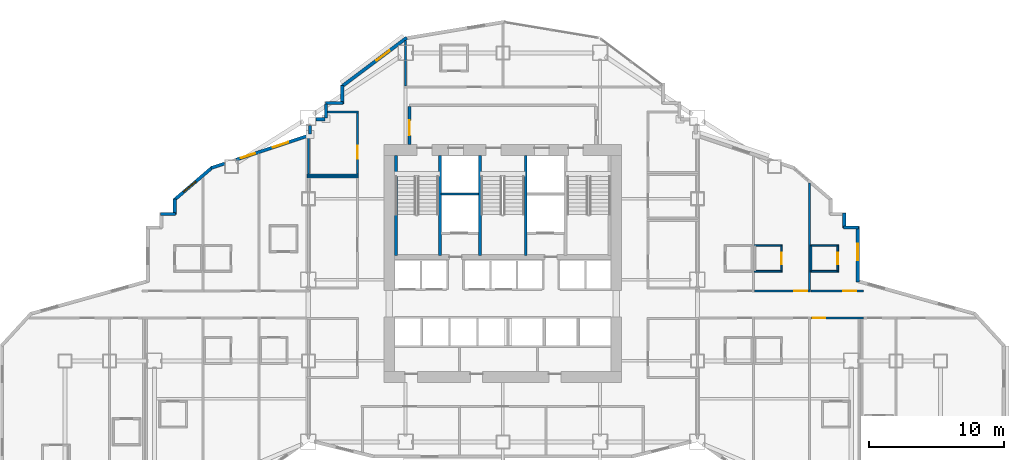
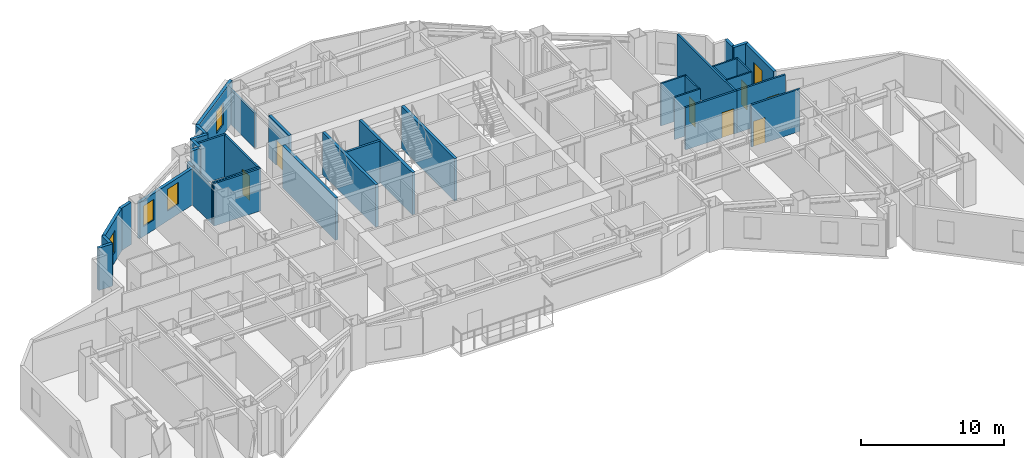
# One storey, part 11 of 16: 37 walls, 7 doors, 5 windows, 12 openings.
"""IFC4 building model written with IfcOpenShell, lengths in metres."""

from ifc_helpers import new_model, si_unit, direction, frame, frame_2d, origin, place, context, subcontext, project, spatial, rectangle, extrude, material, layer, layer_set, type_object, element, fill, save


model = new_model("IFC4")

# Units and contexts
model_context = context("Model", 3, precision=1e-05, world=origin(), true_north=direction((0.0, 1.0)))
body_context = subcontext(model_context, "Body", "Model", "MODEL_VIEW")
ifc_project = project(units=[si_unit("LENGTHUNIT", "METRE"), si_unit("AREAUNIT", "SQUARE_METRE"), si_unit("VOLUMEUNIT", "CUBIC_METRE"), si_unit("PLANEANGLEUNIT", "RADIAN"), si_unit("MASSUNIT", "GRAM", prefix="KILO")], contexts=[model_context])

# Site, building, storey
site_placement = place(None, origin())
site = spatial("IfcSite", under=ifc_project, at=site_placement, CompositionType="ELEMENT")
building_placement = place(site_placement, origin())
building = spatial("IfcBuilding", under=site, at=building_placement, Name="Haolan Belvedere Tower", CompositionType="ELEMENT")
storey_placement = place(building_placement, frame((0.0, 0.0, 78.0)))
storey = spatial("IfcBuildingStorey", under=building, at=storey_placement, Name="L19", CompositionType="ELEMENT", Elevation=78.0)

# Wall, opening, window
ifc_material_1 = material(Name="Precast concrete C40/50", Category="concrete")
ifc_layer_1 = layer(ifc_material_1, 0.239990234375, Name="Precast concrete C40/50")
ifc_layer_set_1 = layer_set([ifc_layer_1], Name="Precast concrete C40/50")
wall_type_1 = type_object("IfcWallType", Name="WL-EXT-240", PredefinedType="SOLIDWALL", material=ifc_layer_set_1)
wall_1_placement = place(storey_placement, frame((64.679931640625, 33.453857421875, 0.0), z_axis=(0.0, 0.0, 1.0), x_axis=(0.0, 1.0, 0.0)))
wall_1 = element("IfcWall", 1, at=wall_1_placement, inside=storey, type_object=wall_type_1, Name="L19 pale-metal exterior spandrel wall 29.1", PredefinedType="SOLIDWALL", context=body_context, shape_type="SweptSolid", body=[
    extrude(rectangle(XDim=4.0810546875, YDim=0.239990234375, at=frame_2d((2.04052734375, 0.0))), origin(), (0.0, 0.0, 1.0), 3.60009765625),
])
opening_1_placement = place(wall_1_placement, frame((1.60009765625, 0.0, 0.85009765625)))
opening_1 = element("IfcOpeningElement", 2, at=opening_1_placement, cuts=wall_1, Name="Opening W-01", PredefinedType="OPENING", context=body_context, shape_type="SweptSolid", body=[
    extrude(rectangle(XDim=1.199951171875, YDim=1.85009765625, at=frame_2d((0.60009765625, 0.925048828125))), frame((0.0, 0.1298828125, 0.0), z_axis=(0.0, -1.0, 0.0), x_axis=(1.0, 0.0, 0.0)), (0.0, 0.0, 1.0), 0.260009765625),
])
ifc_material_2 = material(Name="Anodised aluminium 6063-T6 and Low-E glass", Category="aluminium")
window_type_1 = type_object("IfcWindowType", Name="WN-DECO-Z1", PartitioningType="SINGLE_PANEL", PredefinedType="WINDOW", material=ifc_material_2)
window_1_placement = place(opening_1_placement, origin())
window_1 = element("IfcWindow", 3, at=window_1_placement, inside=storey, type_object=window_type_1, Name="L19 Art Deco chevron window 1", OverallHeight=1.85009765625, OverallWidth=1.199951171875, PartitioningType="SINGLE_PANEL", PredefinedType="WINDOW", context=body_context, shape_type="SweptSolid", body=[
    extrude(rectangle(XDim=1.199951171875, YDim=1.85009765625, at=frame_2d((0.60009765625, 0.925048828125))), frame((0.0, 0.030029296875, 0.0), z_axis=(0.0, -1.0, 0.0), x_axis=(1.0, 0.0, 0.0)), (0.0, 0.0, 1.0), 0.06005859375),
])
fill(opening_1, window_1)

# Walls
wall_2_placement = place(storey_placement, frame((64.735107421875, 37.47998046875, 0.0), z_axis=(0.0, 0.0, 1.0), x_axis=(-1.0, 0.0, 0.0)))
element("IfcWall", 4, at=wall_2_placement, inside=storey, type_object=wall_type_1, Name="L19 pale-metal exterior spandrel wall 30.1", PredefinedType="SOLIDWALL", context=body_context, shape_type="SweptSolid", body=[
    extrude(rectangle(XDim=1.110107421875, YDim=0.239990234375, at=frame_2d((0.55517578125, 0.0))), origin(), (0.0, 0.0, 1.0), 3.60009765625),
])
wall_3_placement = place(storey_placement, frame((63.679931640625, 37.425048828125, 0.0), z_axis=(0.0, 0.0, 1.0), x_axis=(0.0, 1.0, 0.0)))
element("IfcWall", 5, at=wall_3_placement, inside=storey, type_object=wall_type_1, Name="L19 pale-metal exterior spandrel wall 31.1", PredefinedType="SOLIDWALL", context=body_context, shape_type="SweptSolid", body=[
    extrude(rectangle(XDim=1.10986328125, YDim=0.239990234375, at=frame_2d((0.554931640625, 0.0))), origin(), (0.0, 0.0, 1.0), 3.60009765625),
])

# Wall, opening, window
wall_4_placement = place(storey_placement, frame((31.29248046875, 51.519287109375, 0.0), z_axis=(0.0, 0.0, 1.0), x_axis=(-0.8, -0.6, 0.0)))
wall_4 = element("IfcWall", 6, at=wall_4_placement, inside=storey, type_object=wall_type_1, Name="L19 pale-metal exterior spandrel wall 44.1", PredefinedType="SOLIDWALL", context=body_context, shape_type="SweptSolid", body=[
    extrude(rectangle(XDim=6.0205078125, YDim=0.239990234375, at=frame_2d((3.01025390625, 0.0))), origin(), (0.0, 0.0, 1.0), 3.60009765625),
])
opening_2_placement = place(wall_4_placement, frame((1.60009765625, 0.0, 0.85009765625)))
opening_2 = element("IfcOpeningElement", 7, at=opening_2_placement, cuts=wall_4, Name="Opening W-01", PredefinedType="OPENING", context=body_context, shape_type="SweptSolid", body=[
    extrude(rectangle(XDim=1.199951171875, YDim=1.85009765625, at=frame_2d((0.60009765625, 0.925048828125))), frame((0.0, 0.1298828125, 0.0), z_axis=(0.0, -1.0, 0.0), x_axis=(1.0, 0.0, 0.0)), (0.0, 0.0, 1.0), 0.260009765625),
])
window_2_placement = place(opening_2_placement, origin())
window_2 = element("IfcWindow", 8, at=window_2_placement, inside=storey, type_object=window_type_1, Name="L19 Art Deco chevron window 1", OverallHeight=1.85009765625, OverallWidth=1.199951171875, PartitioningType="SINGLE_PANEL", PredefinedType="WINDOW", context=body_context, shape_type="SweptSolid", body=[
    extrude(rectangle(XDim=1.199951171875, YDim=1.85009765625, at=frame_2d((0.60009765625, 0.925048828125))), frame((0.0, 0.030029296875, 0.0), z_axis=(0.0, -1.0, 0.0), x_axis=(1.0, 0.0, 0.0)), (0.0, 0.0, 1.0), 0.06005859375),
])
fill(opening_2, window_2)

# Walls
wall_5_placement = place(storey_placement, frame((26.52001953125, 47.9951171875, 0.0), z_axis=(0.0, 0.0, 1.0), x_axis=(0.0, -1.0, 0.0)))
element("IfcWall", 9, at=wall_5_placement, inside=storey, type_object=wall_type_1, Name="L19 pale-metal exterior spandrel wall 45.1", PredefinedType="SOLIDWALL", context=body_context, shape_type="SweptSolid", body=[
    extrude(rectangle(XDim=1.3701171875, YDim=0.239990234375, at=frame_2d((0.68505859375, 0.0))), origin(), (0.0, 0.0, 1.0), 3.60009765625),
])
wall_6_placement = place(storey_placement, frame((26.574951171875, 46.679931640625, 0.0), z_axis=(0.0, 0.0, 1.0), x_axis=(-1.0, 0.0, 0.0)))
element("IfcWall", 10, at=wall_6_placement, inside=storey, type_object=wall_type_1, Name="L19 pale-metal exterior spandrel wall 46.1", PredefinedType="SOLIDWALL", context=body_context, shape_type="SweptSolid", body=[
    extrude(rectangle(XDim=1.31005859375, YDim=0.239990234375, at=frame_2d((0.655029296875, 0.0))), origin(), (0.0, 0.0, 1.0), 3.60009765625),
])
wall_7_placement = place(storey_placement, frame((25.320068359375, 46.614990234375, 0.0), z_axis=(0.0, 0.0, 1.0), x_axis=(0.0, -1.0, 0.0)))
element("IfcWall", 11, at=wall_7_placement, inside=storey, type_object=wall_type_1, Name="L19 pale-metal exterior spandrel wall 47.1", PredefinedType="SOLIDWALL", context=body_context, shape_type="SweptSolid", body=[
    extrude(rectangle(XDim=1.050048828125, YDim=0.239990234375, at=frame_2d((0.52490234375, 0.0))), origin(), (0.0, 0.0, 1.0), 3.60009765625),
])
wall_8_placement = place(storey_placement, frame((25.235107421875, 45.47998046875, 0.0), z_axis=(0.0, 0.0, 1.0), x_axis=(-1.0, 0.0, 0.0)))
element("IfcWall", 12, at=wall_8_placement, inside=storey, type_object=wall_type_1, Name="L19 pale-metal exterior spandrel wall 48.1", PredefinedType="SOLIDWALL", context=body_context, shape_type="SweptSolid", body=[
    extrude(rectangle(XDim=0.668212890625, YDim=0.239990234375, at=frame_2d((0.333984375, 0.0))), origin(), (0.0, 0.0, 1.0), 3.60009765625),
])
wall_9_placement = place(storey_placement, frame((24.1201171875, 45.032958984375, 0.0), z_axis=(0.0, 0.0, 1.0), x_axis=(0.0, -1.0, 0.0)))
element("IfcWall", 13, at=wall_9_placement, inside=storey, type_object=wall_type_1, Name="L19 pale-metal exterior spandrel wall 49.1", PredefinedType="SOLIDWALL", context=body_context, shape_type="SweptSolid", body=[
    extrude(rectangle(XDim=0.634521484375, YDim=0.239990234375, at=frame_2d((0.3173828125, 0.0))), origin(), (0.0, 0.0, 1.0), 3.096923828125),
])

# Wall, openings, windows
wall_10_placement = place(storey_placement, frame((24.039306640625, 44.28662109375, 0.0), z_axis=(0.0, 0.0, 1.0), x_axis=(-0.948678995954, -0.316240672014, 0.0)))
wall_10 = element("IfcWall", 14, at=wall_10_placement, inside=storey, type_object=wall_type_1, Name="L19 pale-metal exterior spandrel wall 50.1", PredefinedType="SOLIDWALL", context=body_context, shape_type="SweptSolid", body=[
    extrude(rectangle(XDim=5.675048828125, YDim=0.239990234375, at=frame_2d((2.83740234375, 0.0))), origin(), (0.0, 0.0, 1.0), 3.096923828125),
])
opening_3_placement = place(wall_10_placement, frame((1.60009765625, 0.0, 0.85009765625)))
opening_3 = element("IfcOpeningElement", 15, at=opening_3_placement, cuts=wall_10, Name="Opening W-01", PredefinedType="OPENING", context=body_context, shape_type="SweptSolid", body=[
    extrude(rectangle(XDim=1.199951171875, YDim=1.85009765625, at=frame_2d((0.60009765625, 0.925048828125))), frame((0.0, 0.1298828125, 0.0), z_axis=(0.0, -1.0, 0.0), x_axis=(1.0, 0.0, 0.0)), (0.0, 0.0, 1.0), 0.260009765625),
])
opening_4_placement = place(wall_10_placement, frame((4.20556640625, 0.0, 0.85009765625)))
opening_4 = element("IfcOpeningElement", 16, at=opening_4_placement, cuts=wall_10, Name="Opening W-03", PredefinedType="OPENING", context=body_context, shape_type="SweptSolid", body=[
    extrude(rectangle(XDim=1.10009765625, YDim=1.75, at=frame_2d((0.550048828125, 0.875))), frame((0.0, 0.1298828125, 0.0), z_axis=(0.0, -1.0, 0.0), x_axis=(1.0, 0.0, 0.0)), (0.0, 0.0, 1.0), 0.260009765625),
])
window_3_placement = place(opening_3_placement, origin())
window_3 = element("IfcWindow", 17, at=window_3_placement, inside=storey, type_object=window_type_1, Name="L19 Art Deco chevron window 1", OverallHeight=1.85009765625, OverallWidth=1.199951171875, PartitioningType="SINGLE_PANEL", PredefinedType="WINDOW", context=body_context, shape_type="SweptSolid", body=[
    extrude(rectangle(XDim=1.199951171875, YDim=1.85009765625, at=frame_2d((0.60009765625, 0.925048828125))), frame((0.0, 0.030029296875, 0.0), z_axis=(0.0, -1.0, 0.0), x_axis=(1.0, 0.0, 0.0)), (0.0, 0.0, 1.0), 0.06005859375),
])
fill(opening_3, window_3)
window_type_2 = type_object("IfcWindowType", Name="WN-DECO-Z3", PartitioningType="SINGLE_PANEL", PredefinedType="WINDOW", material=ifc_material_2)
window_4_placement = place(opening_4_placement, origin())
window_4 = element("IfcWindow", 18, at=window_4_placement, inside=storey, type_object=window_type_2, Name="L19 Art Deco guestroom window 1", OverallHeight=1.75, OverallWidth=1.10009765625, PartitioningType="SINGLE_PANEL", PredefinedType="WINDOW", context=body_context, shape_type="SweptSolid", body=[
    extrude(rectangle(XDim=1.10009765625, YDim=1.75, at=frame_2d((0.550048828125, 0.875))), frame((0.0, 0.030029296875, 0.0), z_axis=(0.0, -1.0, 0.0), x_axis=(1.0, 0.0, 0.0)), (0.0, 0.0, 1.0), 0.06005859375),
])
fill(opening_4, window_4)

# Wall
wall_11_placement = place(storey_placement, frame((17.80810546875, 42.20947265625, 0.0), z_axis=(0.0, 0.0, 1.0), x_axis=(-0.948706457285, -0.316158279832, 0.0)))
element("IfcWall", 19, at=wall_11_placement, inside=storey, type_object=wall_type_1, Name="L19 pale-metal exterior spandrel wall 50.2", PredefinedType="SOLIDWALL", context=body_context, shape_type="SweptSolid", body=[
    extrude(rectangle(XDim=1.053955078125, YDim=0.239990234375, at=frame_2d((0.52685546875, 0.0))), origin(), (0.0, 0.0, 1.0), 3.60009765625),
])

# Wall, opening, window
wall_12_placement = place(storey_placement, frame((16.902099609375, 41.929443359375, 0.0), z_axis=(0.0, 0.0, 1.0), x_axis=(-0.759275136126, -0.650769750112, 0.0)))
wall_12 = element("IfcWall", 20, at=wall_12_placement, inside=storey, type_object=wall_type_1, Name="L19 pale-metal exterior spandrel wall 51.1", PredefinedType="SOLIDWALL", context=body_context, shape_type="SweptSolid", body=[
    extrude(rectangle(XDim=3.71923828125, YDim=0.239990234375, at=frame_2d((1.859619140625, 0.0))), origin(), (0.0, 0.0, 1.0), 3.60009765625),
])
opening_5_placement = place(wall_12_placement, frame((1.60009765625, 0.0, 0.85009765625)))
opening_5 = element("IfcOpeningElement", 21, at=opening_5_placement, cuts=wall_12, Name="Opening W-01", PredefinedType="OPENING", context=body_context, shape_type="SweptSolid", body=[
    extrude(rectangle(XDim=1.199951171875, YDim=1.85009765625, at=frame_2d((0.60009765625, 0.925048828125))), frame((0.0, 0.1298828125, 0.0), z_axis=(0.0, -1.0, 0.0), x_axis=(1.0, 0.0, 0.0)), (0.0, 0.0, 1.0), 0.260009765625),
])
window_5_placement = place(opening_5_placement, origin())
window_5 = element("IfcWindow", 22, at=window_5_placement, inside=storey, type_object=window_type_1, Name="L19 Art Deco chevron window 1", OverallHeight=1.85009765625, OverallWidth=1.199951171875, PartitioningType="SINGLE_PANEL", PredefinedType="WINDOW", context=body_context, shape_type="SweptSolid", body=[
    extrude(rectangle(XDim=1.199951171875, YDim=1.85009765625, at=frame_2d((0.60009765625, 0.925048828125))), frame((0.0, 0.030029296875, 0.0), z_axis=(0.0, -1.0, 0.0), x_axis=(1.0, 0.0, 0.0)), (0.0, 0.0, 1.0), 0.06005859375),
])
fill(opening_5, window_5)

# Walls
wall_13_placement = place(storey_placement, frame((14.1201171875, 39.599853515625, 0.0), z_axis=(0.0, 0.0, 1.0), x_axis=(0.0, -1.0, 0.0)))
element("IfcWall", 23, at=wall_13_placement, inside=storey, type_object=wall_type_1, Name="L19 pale-metal exterior spandrel wall 52.1", PredefinedType="SOLIDWALL", context=body_context, shape_type="SweptSolid", body=[
    extrude(rectangle(XDim=1.1748046875, YDim=0.239990234375, at=frame_2d((0.58740234375, 0.0))), origin(), (0.0, 0.0, 1.0), 3.60009765625),
])
wall_14_placement = place(storey_placement, frame((14.175048828125, 38.47998046875, 0.0), z_axis=(0.0, 0.0, 1.0), x_axis=(-1.0, 0.0, 0.0)))
element("IfcWall", 24, at=wall_14_placement, inside=storey, type_object=wall_type_1, Name="L19 pale-metal exterior spandrel wall 53.1", PredefinedType="SOLIDWALL", context=body_context, shape_type="SweptSolid", body=[
    extrude(rectangle(XDim=1.110107421875, YDim=0.239990234375, at=frame_2d((0.55517578125, 0.0))), origin(), (0.0, 0.0, 1.0), 3.60009765625),
])

# Wall, opening, door
ifc_material_3 = material(Name="Concrete C40/50", Category="concrete")
ifc_layer_2 = layer(ifc_material_3, 0.199951171875, Name="Concrete C40/50")
ifc_layer_set_2 = layer_set([ifc_layer_2], Name="Concrete C40/50")
wall_type_2 = type_object("IfcWallType", Name="WL-FIRE-200", PredefinedType="SOLIDWALL", material=ifc_layer_set_2)
wall_15_placement = place(storey_placement, frame((31.5, 43.60009765625, 0.0), z_axis=(0.0, 0.0, 1.0), x_axis=(0.0, 1.0, 0.0)))
wall_15 = element("IfcWall", 25, at=wall_15_placement, inside=storey, type_object=wall_type_2, Name="L19 interior partition IW-L19-FFL-W", PredefinedType="SOLIDWALL", context=body_context, shape_type="SweptSolid", body=[
    extrude(rectangle(XDim=2.8349609375, YDim=0.199951171875, at=frame_2d((1.41748046875, 0.0))), origin(), (0.0, 0.0, 1.0), 3.60009765625),
])
opening_6_placement = place(wall_15_placement, frame((1.800048828125, 0.0, 0.0), z_axis=(0.0, 0.0, 1.0), x_axis=(-1.0, 0.0, 0.0)))
opening_6 = element("IfcOpeningElement", 26, at=opening_6_placement, cuts=wall_15, Name="Opening FD-03", PredefinedType="OPENING", context=body_context, shape_type="SweptSolid", body=[
    extrude(rectangle(XDim=1.10009765625, YDim=2.14990234375, at=frame_2d((0.550048828125, 1.074951171875))), frame((0.0, 0.10986328125, 0.0), z_axis=(0.0, -1.0, 0.0), x_axis=(1.0, 0.0, 0.0)), (0.0, 0.0, 1.0), 0.219970703125),
])
ifc_material_4 = material(Name="Galvanised fire-rated steel", Category="steel")
door_type_1 = type_object("IfcDoorType", Name="DR-FD90-1100", OperationType="NOTDEFINED", PredefinedType="DOOR", material=ifc_material_4)
door_1_placement = place(opening_6_placement, origin())
door_1 = element("IfcDoor", 27, at=door_1_placement, inside=storey, type_object=door_type_1, Name="L19 door ID-L19-FFL-DW", OperationType="SINGLE_SWING_LEFT", OverallHeight=2.14990234375, OverallWidth=1.10009765625, PredefinedType="DOOR", context=body_context, shape_type="SweptSolid", body=[
    extrude(rectangle(XDim=1.10009765625, YDim=2.14990234375, at=frame_2d((0.550048828125, 1.074951171875))), frame((0.0, 0.02490234375, 0.0), z_axis=(0.0, -1.0, 0.0), x_axis=(1.0, 0.0, 0.0)), (0.0, 0.0, 1.0), 0.050048828125),
])
fill(opening_6, door_1)

# Walls
ifc_material_5 = material(Name="Double gypsum acoustic stud partition", Category="masonry")
ifc_layer_3 = layer(ifc_material_5, 0.14990234375, Name="Double gypsum acoustic stud partition")
ifc_layer_set_3 = layer_set([ifc_layer_3], Name="Double gypsum acoustic stud partition")
wall_type_3 = type_object("IfcWallType", Name="WL-PART-150", PredefinedType="PARTITIONING", material=ifc_layer_set_3)
wall_16_placement = place(storey_placement, frame((23.919921875, 41.199951171875, 0.0), z_axis=(0.0, 0.0, 1.0), x_axis=(1.0, 0.0, 0.0)))
element("IfcWall", 28, at=wall_16_placement, inside=storey, type_object=wall_type_3, Name="L19 interior partition IW-L19-SAL-N", PredefinedType="PARTITIONING", context=body_context, shape_type="SweptSolid", body=[
    extrude(rectangle(XDim=3.800048828125, YDim=0.14990234375, at=frame_2d((1.89990234375, 0.0))), origin(), (0.0, 0.0, 1.0), 3.60009765625),
])
wall_17_placement = place(storey_placement, frame((25.425048828125, 46.02001953125, 0.0), z_axis=(0.0, 0.0, 1.0), x_axis=(1.0, 0.0, 0.0)))
element("IfcWall", 29, at=wall_17_placement, inside=storey, type_object=wall_type_3, Name="L19 interior partition IW-L19-HSK-N", PredefinedType="PARTITIONING", context=body_context, shape_type="SweptSolid", body=[
    extrude(rectangle(XDim=2.294921875, YDim=0.14990234375, at=frame_2d((1.1474609375, 0.0))), origin(), (0.0, 0.0, 1.0), 3.60009765625),
])
wall_18_placement = place(storey_placement, frame((23.919921875, 41.360107421875, 0.0), z_axis=(0.0, 0.0, 1.0), x_axis=(1.0, 0.0, 0.0)))
element("IfcWall", 30, at=wall_18_placement, inside=storey, type_object=wall_type_3, Name="L19 interior partition IW-L19-HSK-S", PredefinedType="PARTITIONING", context=body_context, shape_type="SweptSolid", body=[
    extrude(rectangle(XDim=3.800048828125, YDim=0.14990234375, at=frame_2d((1.89990234375, 0.0))), origin(), (0.0, 0.0, 1.0), 3.60009765625),
])
wall_19_placement = place(storey_placement, frame((24.0, 41.419921875, 0.0), z_axis=(0.0, 0.0, 1.0), x_axis=(0.0, 1.0, 0.0)))
element("IfcWall", 31, at=wall_19_placement, inside=storey, type_object=wall_type_3, Name="L19 interior partition IW-L19-HSK-W", PredefinedType="PARTITIONING", context=body_context, shape_type="SweptSolid", body=[
    extrude(rectangle(XDim=2.742919921875, YDim=0.14990234375, at=frame_2d((1.37158203125, 0.0))), origin(), (0.0, 0.0, 1.0), 3.096923828125),
])

# Wall, opening, door
wall_20_placement = place(storey_placement, frame((27.639892578125, 41.419921875, 0.0), z_axis=(0.0, 0.0, 1.0), x_axis=(0.0, 1.0, 0.0)))
wall_20 = element("IfcWall", 32, at=wall_20_placement, inside=storey, type_object=wall_type_3, Name="L19 interior partition IW-L19-HSK-E", PredefinedType="PARTITIONING", context=body_context, shape_type="SweptSolid", body=[
    extrude(rectangle(XDim=4.5400390625, YDim=0.14990234375, at=frame_2d((2.27001953125, 0.0))), origin(), (0.0, 0.0, 1.0), 3.60009765625),
])
opening_7_placement = place(wall_20_placement, frame((2.10986328125, 0.0, 0.0), z_axis=(0.0, 0.0, 1.0), x_axis=(-1.0, 0.0, 0.0)))
opening_7 = element("IfcOpeningElement", 33, at=opening_7_placement, cuts=wall_20, Name="Opening ID-03", PredefinedType="OPENING", context=body_context, shape_type="SweptSolid", body=[
    extrude(rectangle(XDim=0.949951171875, YDim=2.1201171875, at=frame_2d((0.47509765625, 1.06005859375))), frame((0.0, 0.0849609375, 0.0), z_axis=(0.0, -1.0, 0.0), x_axis=(1.0, 0.0, 0.0)), (0.0, 0.0, 1.0), 0.169921875),
])
ifc_material_6 = material(Name="Painted solid-core timber", Category="wood")
door_type_2 = type_object("IfcDoorType", Name="DR-INT-950", OperationType="NOTDEFINED", PredefinedType="DOOR", material=ifc_material_6)
door_2_placement = place(opening_7_placement, origin())
door_2 = element("IfcDoor", 34, at=door_2_placement, inside=storey, type_object=door_type_2, Name="L19 door ID-L19-HSK", OperationType="SINGLE_SWING_RIGHT", OverallHeight=2.1201171875, OverallWidth=0.949951171875, PredefinedType="DOOR", context=body_context, shape_type="SweptSolid", body=[
    extrude(rectangle(XDim=0.949951171875, YDim=2.1201171875, at=frame_2d((0.47509765625, 1.06005859375))), frame((0.0, 0.02490234375, 0.0), z_axis=(0.0, -1.0, 0.0), x_axis=(1.0, 0.0, 0.0)), (0.0, 0.0, 1.0), 0.050048828125),
])
fill(opening_7, door_2)

# Wall
wall_21_placement = place(storey_placement, frame((31.199951171875, 47.93994140625, 0.0), z_axis=(0.0, 0.0, 1.0), x_axis=(0.0, 1.0, 0.0)))
element("IfcWall", 35, at=wall_21_placement, inside=storey, type_object=wall_type_3, Name="L19 interior partition IW-L19-KN2-W", PredefinedType="PARTITIONING", context=body_context, shape_type="SweptSolid", body=[
    extrude(rectangle(XDim=3.378662109375, YDim=0.14990234375, at=frame_2d((1.689453125, 0.0))), origin(), (0.0, 0.0, 1.0), 2.985107421875),
])

# Wall, opening, door
wall_22_placement = place(storey_placement, frame((57.052001953125, 32.780029296875, 0.0), z_axis=(0.0, 0.0, 1.0), x_axis=(1.0, 0.0, 0.0)))
wall_22 = element("IfcWall", 36, at=wall_22_placement, inside=storey, type_object=wall_type_3, Name="L19 interior partition IW-L19-T4N2-S", PredefinedType="PARTITIONING", context=body_context, shape_type="SweptSolid", body=[
    extrude(rectangle(XDim=4.14794921875, YDim=0.14990234375, at=frame_2d((2.073974609375, 0.0))), origin(), (0.0, 0.0, 1.0), 3.60009765625),
])
opening_8_placement = place(wall_22_placement, frame((2.935302734375, 0.0, 0.0)))
opening_8 = element("IfcOpeningElement", 37, at=opening_8_placement, cuts=wall_22, Name="Opening ID-02", PredefinedType="OPENING", context=body_context, shape_type="SweptSolid", body=[
    extrude(rectangle(XDim=0.949951171875, YDim=2.14990234375, at=frame_2d((0.47509765625, 1.074951171875))), frame((0.0, 0.0849609375, 0.0), z_axis=(0.0, -1.0, 0.0), x_axis=(1.0, 0.0, 0.0)), (0.0, 0.0, 1.0), 0.169921875),
])
ifc_material_7 = material(Name="Acoustic oak veneer fire-rated timber", Category="wood")
door_type_3 = type_object("IfcDoorType", Name="DR-GUEST-950", OperationType="NOTDEFINED", PredefinedType="DOOR", material=ifc_material_7)
door_3_placement = place(opening_8_placement, origin())
door_3 = element("IfcDoor", 38, at=door_3_placement, inside=storey, type_object=door_type_3, Name="L19 door ID-L19-T4N2-ENT", OperationType="SINGLE_SWING_RIGHT", OverallHeight=2.14990234375, OverallWidth=0.949951171875, PredefinedType="DOOR", context=body_context, shape_type="SweptSolid", body=[
    extrude(rectangle(XDim=0.949951171875, YDim=2.14990234375, at=frame_2d((0.47509765625, 1.074951171875))), frame((0.0, 0.02490234375, 0.0), z_axis=(0.0, -1.0, 0.0), x_axis=(1.0, 0.0, 0.0)), (0.0, 0.0, 1.0), 0.050048828125),
])
fill(opening_8, door_3)

# Wall
wall_23_placement = place(storey_placement, frame((61.10009765625, 32.840087890625, 0.0), z_axis=(0.0, 0.0, 1.0), x_axis=(0.0, 1.0, 0.0)))
element("IfcWall", 39, at=wall_23_placement, inside=storey, type_object=wall_type_3, Name="L19 interior partition IW-L19-T4N2-E", PredefinedType="PARTITIONING", context=body_context, shape_type="SweptSolid", body=[
    extrude(rectangle(XDim=7.920654296875, YDim=0.14990234375, at=frame_2d((3.96044921875, 0.0))), origin(), (0.0, 0.0, 1.0), 3.60009765625),
])

# Wall, opening, door
wall_24_placement = place(storey_placement, frame((61.201904296875, 32.780029296875, 0.0), z_axis=(0.0, 0.0, 1.0), x_axis=(1.0, 0.0, 0.0)))
wall_24 = element("IfcWall", 40, at=wall_24_placement, inside=storey, type_object=wall_type_3, Name="L19 interior partition IW-L19-T4N3-S", PredefinedType="PARTITIONING", context=body_context, shape_type="SweptSolid", body=[
    extrude(rectangle(XDim=3.898193359375, YDim=0.14990234375, at=frame_2d((1.94921875, 0.0))), origin(), (0.0, 0.0, 1.0), 3.60009765625),
])
opening_9_placement = place(wall_24_placement, frame((2.41259765625, 0.0, 0.0)))
opening_9 = element("IfcOpeningElement", 41, at=opening_9_placement, cuts=wall_24, Name="Opening ID-02", PredefinedType="OPENING", context=body_context, shape_type="SweptSolid", body=[
    extrude(rectangle(XDim=0.949951171875, YDim=2.14990234375, at=frame_2d((0.47509765625, 1.074951171875))), frame((0.0, 0.0849609375, 0.0), z_axis=(0.0, -1.0, 0.0), x_axis=(1.0, 0.0, 0.0)), (0.0, 0.0, 1.0), 0.169921875),
])
door_4_placement = place(opening_9_placement, origin())
door_4 = element("IfcDoor", 42, at=door_4_placement, inside=storey, type_object=door_type_3, Name="L19 door ID-L19-T4N3-ENT", OperationType="SINGLE_SWING_LEFT", OverallHeight=2.14990234375, OverallWidth=0.949951171875, PredefinedType="DOOR", context=body_context, shape_type="SweptSolid", body=[
    extrude(rectangle(XDim=0.949951171875, YDim=2.14990234375, at=frame_2d((0.47509765625, 1.074951171875))), frame((0.0, 0.02490234375, 0.0), z_axis=(0.0, -1.0, 0.0), x_axis=(1.0, 0.0, 0.0)), (0.0, 0.0, 1.0), 0.050048828125),
])
fill(opening_9, door_4)

wall_25_placement = place(storey_placement, frame((61.201904296875, 30.77001953125, 0.0), z_axis=(0.0, 0.0, 1.0), x_axis=(1.0, 0.0, 0.0)))
wall_25 = element("IfcWall", 43, at=wall_25_placement, inside=storey, type_object=wall_type_3, Name="L19 interior partition IW-L19-T4S3-N", PredefinedType="PARTITIONING", context=body_context, shape_type="SweptSolid", body=[
    extrude(rectangle(XDim=3.898193359375, YDim=0.14990234375, at=frame_2d((1.94921875, 0.0))), origin(), (0.0, 0.0, 1.0), 3.60009765625),
])
opening_10_placement = place(wall_25_placement, frame((1.08984375, 0.0, 0.0), z_axis=(0.0, 0.0, 1.0), x_axis=(-1.0, 0.0, 0.0)))
opening_10 = element("IfcOpeningElement", 44, at=opening_10_placement, cuts=wall_25, Name="Opening ID-02", PredefinedType="OPENING", context=body_context, shape_type="SweptSolid", body=[
    extrude(rectangle(XDim=0.949951171875, YDim=2.14990234375, at=frame_2d((0.47509765625, 1.074951171875))), frame((0.0, 0.0849609375, 0.0), z_axis=(0.0, -1.0, 0.0), x_axis=(1.0, 0.0, 0.0)), (0.0, 0.0, 1.0), 0.169921875),
])
door_5_placement = place(opening_10_placement, origin())
door_5 = element("IfcDoor", 45, at=door_5_placement, inside=storey, type_object=door_type_3, Name="L19 door ID-L19-T4S3-ENT", OperationType="SINGLE_SWING_RIGHT", OverallHeight=2.14990234375, OverallWidth=0.949951171875, PredefinedType="DOOR", context=body_context, shape_type="SweptSolid", body=[
    extrude(rectangle(XDim=0.949951171875, YDim=2.14990234375, at=frame_2d((0.47509765625, 1.074951171875))), frame((0.0, 0.02490234375, 0.0), z_axis=(0.0, -1.0, 0.0), x_axis=(1.0, 0.0, 0.0)), (0.0, 0.0, 1.0), 0.050048828125),
])
fill(opening_10, door_5)

# Walls
ifc_layer_4 = layer(ifc_material_1, 0.179931640625, Name="Precast concrete C40/50")
ifc_layer_set_4 = layer_set([ifc_layer_4], Name="Precast concrete C40/50")
wall_type_4 = type_object("IfcWallType", Name="WL-SHAFT-180", PredefinedType="SOLIDWALL", material=ifc_layer_set_4)
wall_26_placement = place(storey_placement, frame((33.8349609375, 39.949951171875, 0.0), z_axis=(0.0, 0.0, 1.0), x_axis=(1.0, 0.0, 0.0)))
element("IfcWall", 46, at=wall_26_placement, inside=storey, type_object=wall_type_4, Name="L19 interior partition IW-L19-FF1-S", PredefinedType="SOLIDWALL", context=body_context, shape_type="SweptSolid", body=[
    extrude(rectangle(XDim=2.77001953125, YDim=0.179931640625, at=frame_2d((1.385009765625, 0.0))), origin(), (0.0, 0.0, 1.0), 3.60009765625),
])
ifc_material_8 = material(Name="Concrete C50/60", Category="concrete")
ifc_layer_5 = layer(ifc_material_8, 0.219970703125, Name="Concrete C50/60")
ifc_layer_set_5 = layer_set([ifc_layer_5], Name="Concrete C50/60")
wall_type_5 = type_object("IfcWallType", Name="WL-STAIR-220", PredefinedType="SHEAR", material=ifc_layer_set_5)
for number, where, z_axis, x_axis, name in (
    (47, (30.511962890625, 35.389892578125, 0.0), (0.0, 0.0, 1.0), (0.0, 1.0, 0.0), "L19 structural stair core wall ST1W"),
    (48, (33.739990234375, 35.389892578125, 0.0), (0.0, 0.0, 1.0), (0.0, 1.0, 0.0), "L19 structural stair core wall ST1E"),
    (49, (36.699951171875, 35.389892578125, 0.0), (0.0, 0.0, 1.0), (0.0, 1.0, 0.0), "L19 structural stair core wall ST3W"),
    (50, (40.10009765625, 35.389892578125, 0.0), (0.0, 0.0, 1.0), (0.0, 1.0, 0.0), "L19 structural stair core wall ST3E"),
):
    element("IfcWall", number, at=place(storey_placement, frame(where, z_axis=z_axis, x_axis=x_axis)), inside=storey, type_object=wall_type_5, Name=name, PredefinedType="SHEAR", context=body_context, shape_type="SweptSolid", body=[
        extrude(rectangle(XDim=7.41015625, YDim=0.219970703125, at=frame_2d((3.705078125, 0.0))), origin(), (0.0, 0.0, 1.0), 3.60009765625),
    ])
ifc_material_9 = material(Name="Moisture-resistant gypsum tile partition", Category="masonry")
ifc_layer_6 = layer(ifc_material_9, 0.1201171875, Name="Moisture-resistant gypsum tile partition")
ifc_layer_set_6 = layer_set([ifc_layer_6], Name="Moisture-resistant gypsum tile partition")
wall_type_6 = type_object("IfcWallType", Name="WL-WET-120", PredefinedType="PARTITIONING", material=ifc_layer_set_6)
for number, where, z_axis, x_axis, name in (
    (51, (57.010009765625, 36.14990234375, 0.0), (0.0, 0.0, 1.0), (1.0, 0.0, 0.0), "L19 interior partition IW-L19-T4N2-BN"),
    (52, (57.010009765625, 34.22998046875, 0.0), (0.0, 0.0, 1.0), (1.0, 0.0, 0.0), "L19 interior partition IW-L19-T4N2-BS"),
):
    element("IfcWall", number, at=place(storey_placement, frame(where, z_axis=z_axis, x_axis=x_axis)), inside=storey, type_object=wall_type_6, Name=name, PredefinedType="PARTITIONING", context=body_context, shape_type="SweptSolid", body=[
        extrude(rectangle(XDim=2.080078125, YDim=0.1201171875, at=frame_2d((1.0400390625, 0.0))), origin(), (0.0, 0.0, 1.0), 3.60009765625),
    ])

# Wall, opening, door
wall_27_placement = place(storey_placement, frame((59.030029296875, 34.27490234375, 0.0), z_axis=(0.0, 0.0, 1.0), x_axis=(0.0, 1.0, 0.0)))
wall_27 = element("IfcWall", 53, at=wall_27_placement, inside=storey, type_object=wall_type_6, Name="L19 interior partition IW-L19-T4N2-BE", PredefinedType="PARTITIONING", context=body_context, shape_type="SweptSolid", body=[
    extrude(rectangle(XDim=1.830078125, YDim=0.1201171875, at=frame_2d((0.9150390625, 0.0))), origin(), (0.0, 0.0, 1.0), 3.60009765625),
])
opening_11_placement = place(wall_27_placement, frame((0.489990234375, 0.0, 0.0)))
opening_11 = element("IfcOpeningElement", 54, at=opening_11_placement, cuts=wall_27, Name="Opening ID-05", PredefinedType="OPENING", context=body_context, shape_type="SweptSolid", body=[
    extrude(rectangle(XDim=0.85009765625, YDim=2.10009765625, at=frame_2d((0.425048828125, 1.050048828125))), frame((0.0, 0.070068359375, 0.0), z_axis=(0.0, -1.0, 0.0), x_axis=(1.0, 0.0, 0.0)), (0.0, 0.0, 1.0), 0.14013671875),
])
ifc_material_10 = material(Name="Moisture-resistant lacquered timber", Category="wood")
door_type_4 = type_object("IfcDoorType", Name="DR-BATH-850", OperationType="NOTDEFINED", PredefinedType="DOOR", material=ifc_material_10)
door_6_placement = place(opening_11_placement, origin())
door_6 = element("IfcDoor", 55, at=door_6_placement, inside=storey, type_object=door_type_4, Name="L19 door ID-L19-T4N2-BATH", OperationType="SINGLE_SWING_LEFT", OverallHeight=2.10009765625, OverallWidth=0.85009765625, PredefinedType="DOOR", context=body_context, shape_type="SweptSolid", body=[
    extrude(rectangle(XDim=0.85009765625, YDim=2.10009765625, at=frame_2d((0.425048828125, 1.050048828125))), frame((0.0, 0.02490234375, 0.0), z_axis=(0.0, -1.0, 0.0), x_axis=(1.0, 0.0, 0.0)), (0.0, 0.0, 1.0), 0.050048828125),
])
fill(opening_11, door_6)

# Walls
for number, where, z_axis, x_axis, name in (
    (56, (61.159912109375, 36.14990234375, 0.0), (0.0, 0.0, 1.0), (1.0, 0.0, 0.0), "L19 interior partition IW-L19-T4N3-BN"),
    (57, (61.159912109375, 34.22998046875, 0.0), (0.0, 0.0, 1.0), (1.0, 0.0, 0.0), "L19 interior partition IW-L19-T4N3-BS"),
):
    element("IfcWall", number, at=place(storey_placement, frame(where, z_axis=z_axis, x_axis=x_axis)), inside=storey, type_object=wall_type_6, Name=name, PredefinedType="PARTITIONING", context=body_context, shape_type="SweptSolid", body=[
        extrude(rectangle(XDim=2.094970703125, YDim=0.1201171875, at=frame_2d((1.04736328125, 0.0))), origin(), (0.0, 0.0, 1.0), 3.60009765625),
    ])
wall_28_placement = place(storey_placement, frame((61.215087890625, 34.27490234375, 0.0), z_axis=(0.0, 0.0, 1.0), x_axis=(0.0, 1.0, 0.0)))
element("IfcWall", 58, at=wall_28_placement, inside=storey, type_object=wall_type_6, Name="L19 interior partition IW-L19-T4N3-BW", PredefinedType="PARTITIONING", context=body_context, shape_type="SweptSolid", body=[
    extrude(rectangle(XDim=1.830078125, YDim=0.1201171875, at=frame_2d((0.9150390625, 0.0))), origin(), (0.0, 0.0, 1.0), 3.60009765625),
])

# Wall, opening, door
wall_29_placement = place(storey_placement, frame((63.195068359375, 34.27490234375, 0.0), z_axis=(0.0, 0.0, 1.0), x_axis=(0.0, 1.0, 0.0)))
wall_29 = element("IfcWall", 59, at=wall_29_placement, inside=storey, type_object=wall_type_6, Name="L19 interior partition IW-L19-T4N3-BE", PredefinedType="PARTITIONING", context=body_context, shape_type="SweptSolid", body=[
    extrude(rectangle(XDim=1.830078125, YDim=0.1201171875, at=frame_2d((0.9150390625, 0.0))), origin(), (0.0, 0.0, 1.0), 3.60009765625),
])
opening_12_placement = place(wall_29_placement, frame((0.489990234375, 0.0, 0.0)))
opening_12 = element("IfcOpeningElement", 60, at=opening_12_placement, cuts=wall_29, Name="Opening ID-05", PredefinedType="OPENING", context=body_context, shape_type="SweptSolid", body=[
    extrude(rectangle(XDim=0.85009765625, YDim=2.10009765625, at=frame_2d((0.425048828125, 1.050048828125))), frame((0.0, 0.070068359375, 0.0), z_axis=(0.0, -1.0, 0.0), x_axis=(1.0, 0.0, 0.0)), (0.0, 0.0, 1.0), 0.14013671875),
])
door_7_placement = place(opening_12_placement, origin())
door_7 = element("IfcDoor", 61, at=door_7_placement, inside=storey, type_object=door_type_4, Name="L19 door ID-L19-T4N3-BATH", OperationType="SINGLE_SWING_RIGHT", OverallHeight=2.10009765625, OverallWidth=0.85009765625, PredefinedType="DOOR", context=body_context, shape_type="SweptSolid", body=[
    extrude(rectangle(XDim=0.85009765625, YDim=2.10009765625, at=frame_2d((0.425048828125, 1.050048828125))), frame((0.0, 0.02490234375, 0.0), z_axis=(0.0, -1.0, 0.0), x_axis=(1.0, 0.0, 0.0)), (0.0, 0.0, 1.0), 0.050048828125),
])
fill(opening_12, door_7)

save(model, "model.ifc")
